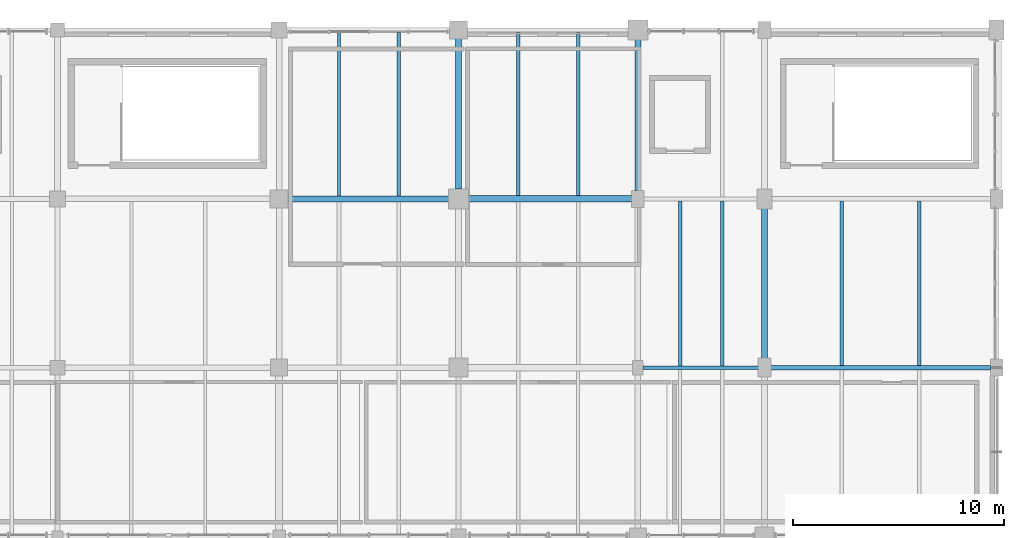
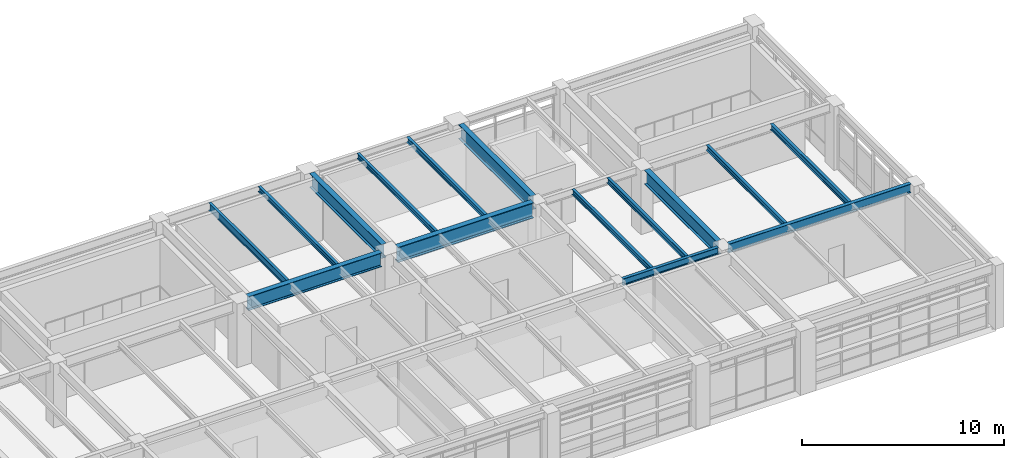
# One storey, part 15 of 26: 15 beams.
"""IFC4 building model written with IfcOpenShell, lengths in metres."""

from ifc_helpers import new_model, si_unit, direction, frame, origin, origin_2d, place, context, subcontext, project, spatial, i_section, extrude, material, material_profile, profile_set, type_object, element, save


model = new_model("IFC4")

# Units and contexts
model_context = context("Model", 3, precision=1e-05, world=origin(), true_north=direction((0.0, 1.0)))
body_context = subcontext(model_context, "Body", "Model", "MODEL_VIEW")
ifc_project = project(units=[si_unit("LENGTHUNIT", "METRE"), si_unit("AREAUNIT", "SQUARE_METRE"), si_unit("VOLUMEUNIT", "CUBIC_METRE"), si_unit("PLANEANGLEUNIT", "RADIAN"), si_unit("MASSUNIT", "GRAM", prefix="KILO"), si_unit("THERMODYNAMICTEMPERATUREUNIT", "KELVIN"), si_unit("POWERUNIT", "WATT")], contexts=[model_context])

# Site, building, storey
site_placement = place(None, origin())
site = spatial("IfcSite", under=ifc_project, at=site_placement, CompositionType="ELEMENT")
building_placement = place(site_placement, origin())
building = spatial("IfcBuilding", under=site, at=building_placement, Name="Tepalcoro Natatorium and Aquatics Centre", CompositionType="ELEMENT")
storey_placement = place(building_placement, frame((0.0, 0.0, 19.0)))
storey = spatial("IfcBuildingStorey", under=building, at=storey_placement, Name="L04", CompositionType="ELEMENT", Elevation=19.0)

# Beams
ifc_material = material(Name="Steel ASTM A992 Grade 50 (Fy 345 MPa)", Category="steel")
ifc_material_profile_1 = material_profile(ifc_material, i_section(OverallWidth=0.177978515625, OverallDepth=0.406005859375, WebThickness=0.008056640625, FlangeThickness=0.012939453125, FilletRadius=0.013916015625, at=origin_2d()), Name="W16X40")
ifc_profile_set_1 = profile_set([ifc_material_profile_1], Name="Steel ASTM A992 Grade 50 (Fy 345 MPa)")
beam_type_1 = type_object("IfcBeamType", Name="BM_W16x40", PredefinedType="BEAM", material=ifc_profile_set_1)
beam_1_placement = place(storey_placement, frame((159.235107421875, 102.0, 3.632080078125), z_axis=(1.0, 0.0, 0.0), x_axis=(0.0, 1.0, 0.0)))
element("IfcBeam", 1, at=beam_1_placement, inside=storey, type_object=beam_type_1, Name="V5 L04 Grid Girder X", PredefinedType="BEAM", context=body_context, shape_type="SweptSolid", body=[
    extrude(i_section(OverallWidth=0.177978515625, OverallDepth=0.406005859375, WebThickness=0.008056640625, FlangeThickness=0.012939453125, FilletRadius=0.013916015625, at=origin_2d()), origin(), (0.0, 0.0, 1.0), 5.47998046875),
])
ifc_material_profile_2 = material_profile(ifc_material, i_section(OverallWidth=0.2099609375, OverallDepth=0.532958984375, WebThickness=0.010009765625, FlangeThickness=0.01611328125, FilletRadius=0.013916015625, at=origin_2d()), Name="W21X62")
ifc_profile_set_2 = profile_set([ifc_material_profile_2], Name="Steel ASTM A992 Grade 50 (Fy 345 MPa)")
beam_type_2 = type_object("IfcBeamType", Name="BM_W21x62", PredefinedType="BEAM", material=ifc_profile_set_2)
beam_2_placement = place(storey_placement, frame((165.284912109375, 102.0, 3.568603515625), z_axis=(1.0, 0.0, 0.0), x_axis=(0.0, 1.0, 0.0)))
element("IfcBeam", 2, at=beam_2_placement, inside=storey, type_object=beam_type_2, Name="V5 L04 Grid Girder X", PredefinedType="BEAM", context=body_context, shape_type="SweptSolid", body=[
    extrude(i_section(OverallWidth=0.2099609375, OverallDepth=0.532958984375, WebThickness=0.010009765625, FlangeThickness=0.01611328125, FilletRadius=0.013916015625, at=origin_2d()), origin(), (0.0, 0.0, 1.0), 10.43017578125),
])
ifc_material_profile_3 = material_profile(ifc_material, i_section(OverallWidth=0.2919921875, OverallDepth=0.845947265625, WebThickness=0.014892578125, FlangeThickness=0.02392578125, FilletRadius=0.013916015625, at=origin_2d()), Name="W33X141")
ifc_profile_set_3 = profile_set([ifc_material_profile_3], Name="Steel ASTM A992 Grade 50 (Fy 345 MPa)")
beam_type_3 = type_object("IfcBeamType", Name="BM_W33x141", PredefinedType="BEAM", material=ifc_profile_set_3)
beam_3_placement = place(storey_placement, frame((142.409912109375, 110.0, 3.412109375), z_axis=(1.0, 0.0, 0.0), x_axis=(0.0, 1.0, 0.0)))
element("IfcBeam", 3, at=beam_3_placement, inside=storey, type_object=beam_type_3, Name="V5 L04 Grid Girder X", PredefinedType="BEAM", context=body_context, shape_type="SweptSolid", body=[
    extrude(i_section(OverallWidth=0.2919921875, OverallDepth=0.845947265625, WebThickness=0.014892578125, FlangeThickness=0.02392578125, FilletRadius=0.013916015625, at=origin_2d()), origin(), (0.0, 0.0, 1.0), 7.630126953125),
])
beam_4_placement = place(storey_placement, frame((150.5, 110.4599609375, 3.412109375), z_axis=(0.0, 1.0, 0.0), x_axis=(-1.0, 0.0, 0.0)))
element("IfcBeam", 4, at=beam_4_placement, inside=storey, type_object=beam_type_3, Name="V5 L04 Grid Girder Y", PredefinedType="BEAM", context=body_context, shape_type="SweptSolid", body=[
    extrude(i_section(OverallWidth=0.2919921875, OverallDepth=0.845947265625, WebThickness=0.014892578125, FlangeThickness=0.02392578125, FilletRadius=0.013916015625, at=origin_2d()), origin(), (0.0, 0.0, 1.0), 7.130126953125),
])
beam_5_placement = place(storey_placement, frame((165.0, 102.43505859375, 3.412109375), z_axis=(0.0, 1.0, 0.0), x_axis=(-1.0, 0.0, 0.0)))
element("IfcBeam", 5, at=beam_5_placement, inside=storey, type_object=beam_type_3, Name="V5 L04 Grid Girder Y", PredefinedType="BEAM", context=body_context, shape_type="SweptSolid", body=[
    extrude(i_section(OverallWidth=0.2919921875, OverallDepth=0.845947265625, WebThickness=0.014892578125, FlangeThickness=0.02392578125, FilletRadius=0.013916015625, at=origin_2d()), origin(), (0.0, 0.0, 1.0), 7.10498046875),
])
ifc_material_profile_4 = material_profile(ifc_material, i_section(OverallWidth=0.2919921875, OverallDepth=0.85888671875, WebThickness=0.01708984375, FlangeThickness=0.031005859375, FilletRadius=0.013916015625, at=origin_2d()), Name="W33X169")
ifc_profile_set_4 = profile_set([ifc_material_profile_4], Name="Steel ASTM A992 Grade 50 (Fy 345 MPa)")
beam_type_4 = type_object("IfcBeamType", Name="BM_W33x169", PredefinedType="BEAM", material=ifc_profile_set_4)
beam_6_placement = place(storey_placement, frame((159.0, 110.385009765625, 3.405517578125), z_axis=(0.0, 1.0, 0.0), x_axis=(-1.0, 0.0, 0.0)))
element("IfcBeam", 6, at=beam_6_placement, inside=storey, type_object=beam_type_4, Name="V5 L04 Grid Girder Y", PredefinedType="BEAM", context=body_context, shape_type="SweptSolid", body=[
    extrude(i_section(OverallWidth=0.2919921875, OverallDepth=0.85888671875, WebThickness=0.01708984375, FlangeThickness=0.031005859375, FilletRadius=0.013916015625, at=origin_2d()), origin(), (0.0, 0.0, 1.0), 7.155029296875),
])
ifc_material_profile_5 = material_profile(ifc_material, i_section(OverallWidth=0.31005859375, OverallDepth=0.931884765625, WebThickness=0.02099609375, FlangeThickness=0.034912109375, FilletRadius=0.013916015625, at=origin_2d()), Name="W36X210")
ifc_profile_set_5 = profile_set([ifc_material_profile_5], Name="Steel ASTM A992 Grade 50 (Fy 345 MPa)")
beam_type_5 = type_object("IfcBeamType", Name="BM_W36x210", PredefinedType="BEAM", material=ifc_profile_set_5)
beam_7_placement = place(storey_placement, frame((150.9599609375, 110.0, 3.368896484375), z_axis=(1.0, 0.0, 0.0), x_axis=(0.0, 1.0, 0.0)))
element("IfcBeam", 7, at=beam_7_placement, inside=storey, type_object=beam_type_5, Name="V5 L04 Grid Girder X", PredefinedType="BEAM", context=body_context, shape_type="SweptSolid", body=[
    extrude(i_section(OverallWidth=0.31005859375, OverallDepth=0.931884765625, WebThickness=0.02099609375, FlangeThickness=0.034912109375, FilletRadius=0.013916015625, at=origin_2d()), origin(), (0.0, 0.0, 1.0), 7.755126953125),
])
ifc_material_profile_6 = material_profile(ifc_material, i_section(OverallWidth=0.1650390625, OverallDepth=0.31005859375, WebThickness=0.006103515625, FlangeThickness=0.010009765625, FilletRadius=0.013916015625, at=origin_2d()), Name="W12X26")
ifc_profile_set_6 = profile_set([ifc_material_profile_6], Name="Steel ASTM A992 Grade 50 (Fy 345 MPa)")
beam_type_6 = type_object("IfcBeamType", Name="JS_W12x26", PredefinedType="JOIST", material=ifc_profile_set_6)
beam_8_placement = place(storey_placement, frame((147.666748046875, 110.14599609375, 3.679931640625), z_axis=(0.0, 1.0, 0.0), x_axis=(-1.0, 0.0, 0.0)))
element("IfcBeam", 8, at=beam_8_placement, inside=storey, type_object=beam_type_6, Name="V5 L04 Floor Joist", PredefinedType="JOIST", context=body_context, shape_type="SweptSolid", body=[
    extrude(i_section(OverallWidth=0.1650390625, OverallDepth=0.31005859375, WebThickness=0.006103515625, FlangeThickness=0.010009765625, FilletRadius=0.013916015625, at=origin_2d()), origin(), (0.0, 0.0, 1.0), 7.739501953125),
])
beam_9_placement = place(storey_placement, frame((153.333251953125, 110.155029296875, 3.679931640625), z_axis=(0.0, 1.0, 0.0), x_axis=(-1.0, 0.0, 0.0)))
element("IfcBeam", 9, at=beam_9_placement, inside=storey, type_object=beam_type_6, Name="V5 L04 Floor Joist", PredefinedType="JOIST", context=body_context, shape_type="SweptSolid", body=[
    extrude(i_section(OverallWidth=0.1650390625, OverallDepth=0.31005859375, WebThickness=0.006103515625, FlangeThickness=0.010009765625, FilletRadius=0.013916015625, at=origin_2d()), origin(), (0.0, 0.0, 1.0), 7.7548828125),
])
beam_10_placement = place(storey_placement, frame((161.0, 102.089111328125, 3.679931640625), z_axis=(0.0, 1.0, 0.0), x_axis=(-1.0, 0.0, 0.0)))
element("IfcBeam", 10, at=beam_10_placement, inside=storey, type_object=beam_type_6, Name="V5 L04 Floor Joist", PredefinedType="JOIST", context=body_context, shape_type="SweptSolid", body=[
    extrude(i_section(OverallWidth=0.1650390625, OverallDepth=0.31005859375, WebThickness=0.006103515625, FlangeThickness=0.010009765625, FilletRadius=0.013916015625, at=origin_2d()), origin(), (0.0, 0.0, 1.0), 7.8154296875),
])
ifc_material_profile_7 = material_profile(ifc_material, i_section(OverallWidth=0.1669921875, OverallDepth=0.318115234375, WebThickness=0.008056640625, FlangeThickness=0.012939453125, FilletRadius=0.013916015625, at=origin_2d()), Name="W12X35")
ifc_profile_set_7 = profile_set([ifc_material_profile_7], Name="Steel ASTM A992 Grade 50 (Fy 345 MPa)")
beam_type_7 = type_object("IfcBeamType", Name="JS_W12x35", PredefinedType="JOIST", material=ifc_profile_set_7)
beam_11_placement = place(storey_placement, frame((156.166748046875, 110.155029296875, 3.676025390625), z_axis=(0.0, 1.0, 0.0), x_axis=(-1.0, 0.0, 0.0)))
element("IfcBeam", 11, at=beam_11_placement, inside=storey, type_object=beam_type_7, Name="V5 L04 Floor Joist", PredefinedType="JOIST", context=body_context, shape_type="SweptSolid", body=[
    extrude(i_section(OverallWidth=0.1669921875, OverallDepth=0.318115234375, WebThickness=0.008056640625, FlangeThickness=0.012939453125, FilletRadius=0.013916015625, at=origin_2d()), origin(), (0.0, 0.0, 1.0), 7.7548828125),
])
beam_12_placement = place(storey_placement, frame((163.0, 102.089111328125, 3.676025390625), z_axis=(0.0, 1.0, 0.0), x_axis=(-1.0, 0.0, 0.0)))
element("IfcBeam", 12, at=beam_12_placement, inside=storey, type_object=beam_type_7, Name="V5 L04 Floor Joist", PredefinedType="JOIST", context=body_context, shape_type="SweptSolid", body=[
    extrude(i_section(OverallWidth=0.1669921875, OverallDepth=0.318115234375, WebThickness=0.008056640625, FlangeThickness=0.012939453125, FilletRadius=0.013916015625, at=origin_2d()), origin(), (0.0, 0.0, 1.0), 7.8154296875),
])
beam_13_placement = place(storey_placement, frame((168.666748046875, 102.10498046875, 3.676025390625), z_axis=(0.0, 1.0, 0.0), x_axis=(-1.0, 0.0, 0.0)))
element("IfcBeam", 13, at=beam_13_placement, inside=storey, type_object=beam_type_7, Name="V5 L04 Floor Joist", PredefinedType="JOIST", context=body_context, shape_type="SweptSolid", body=[
    extrude(i_section(OverallWidth=0.1669921875, OverallDepth=0.318115234375, WebThickness=0.008056640625, FlangeThickness=0.012939453125, FilletRadius=0.013916015625, at=origin_2d()), origin(), (0.0, 0.0, 1.0), 7.7890625),
])
ifc_material_profile_8 = material_profile(ifc_material, i_section(OverallWidth=0.1708984375, OverallDepth=0.35107421875, WebThickness=0.007080078125, FlangeThickness=0.010009765625, FilletRadius=0.013916015625, at=origin_2d()), Name="W14X30")
ifc_profile_set_8 = profile_set([ifc_material_profile_8], Name="Steel ASTM A992 Grade 50 (Fy 345 MPa)")
beam_type_8 = type_object("IfcBeamType", Name="JS_W14x30", PredefinedType="JOIST", material=ifc_profile_set_8)
beam_14_placement = place(storey_placement, frame((172.333251953125, 102.10498046875, 3.659423828125), z_axis=(0.0, 1.0, 0.0), x_axis=(-1.0, 0.0, 0.0)))
element("IfcBeam", 14, at=beam_14_placement, inside=storey, type_object=beam_type_8, Name="V5 L04 Floor Joist", PredefinedType="JOIST", context=body_context, shape_type="SweptSolid", body=[
    extrude(i_section(OverallWidth=0.1708984375, OverallDepth=0.35107421875, WebThickness=0.007080078125, FlangeThickness=0.010009765625, FilletRadius=0.013916015625, at=origin_2d()), origin(), (0.0, 0.0, 1.0), 7.7890625),
])
ifc_material_profile_9 = material_profile(ifc_material, i_section(OverallWidth=0.153076171875, OverallDepth=0.455078125, WebThickness=0.008056640625, FlangeThickness=0.012939453125, FilletRadius=0.013916015625, at=origin_2d()), Name="W18X40")
ifc_profile_set_9 = profile_set([ifc_material_profile_9], Name="Steel ASTM A992 Grade 50 (Fy 345 MPa)")
beam_type_9 = type_object("IfcBeamType", Name="JS_W18x40", PredefinedType="JOIST", material=ifc_profile_set_9)
beam_15_placement = place(storey_placement, frame((144.833251953125, 110.14599609375, 3.607421875), z_axis=(0.0, 1.0, 0.0), x_axis=(-1.0, 0.0, 0.0)))
element("IfcBeam", 15, at=beam_15_placement, inside=storey, type_object=beam_type_9, Name="V5 L04 Floor Joist", PredefinedType="JOIST", context=body_context, shape_type="SweptSolid", body=[
    extrude(i_section(OverallWidth=0.153076171875, OverallDepth=0.455078125, WebThickness=0.008056640625, FlangeThickness=0.012939453125, FilletRadius=0.013916015625, at=origin_2d()), origin(), (0.0, 0.0, 1.0), 7.739501953125),
])

save(model, "model.ifc")
